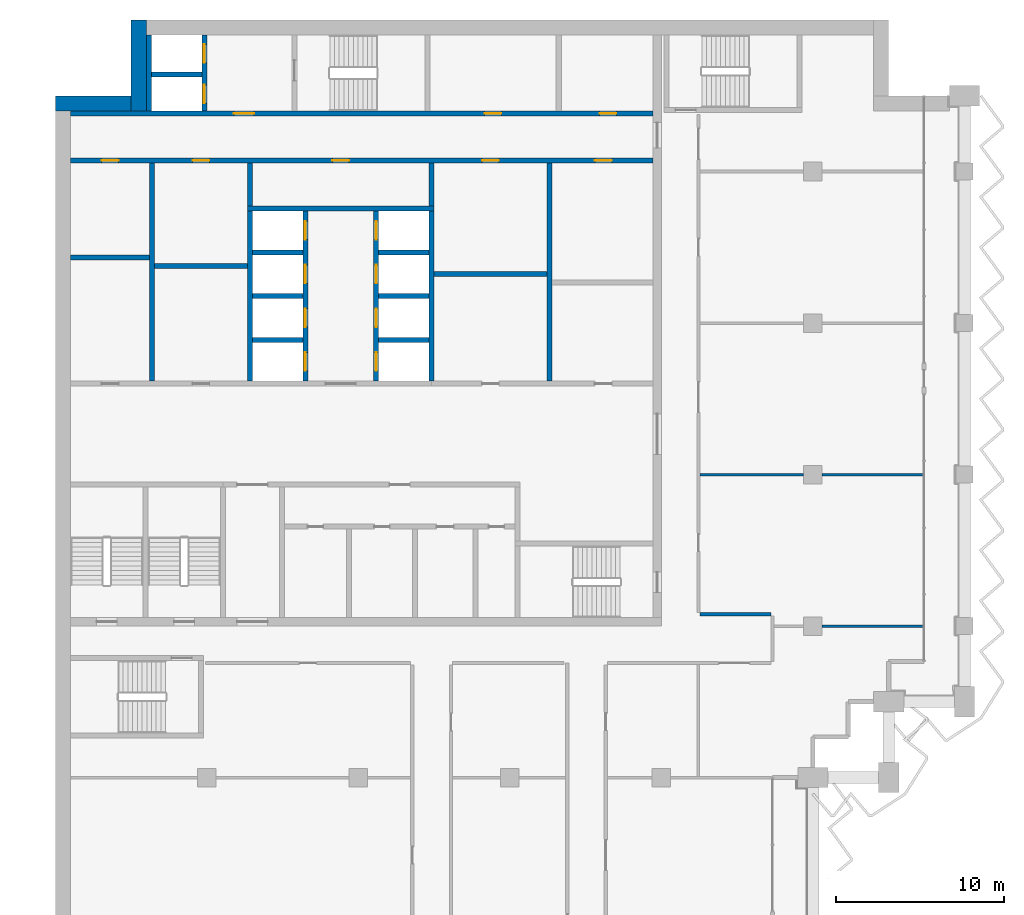
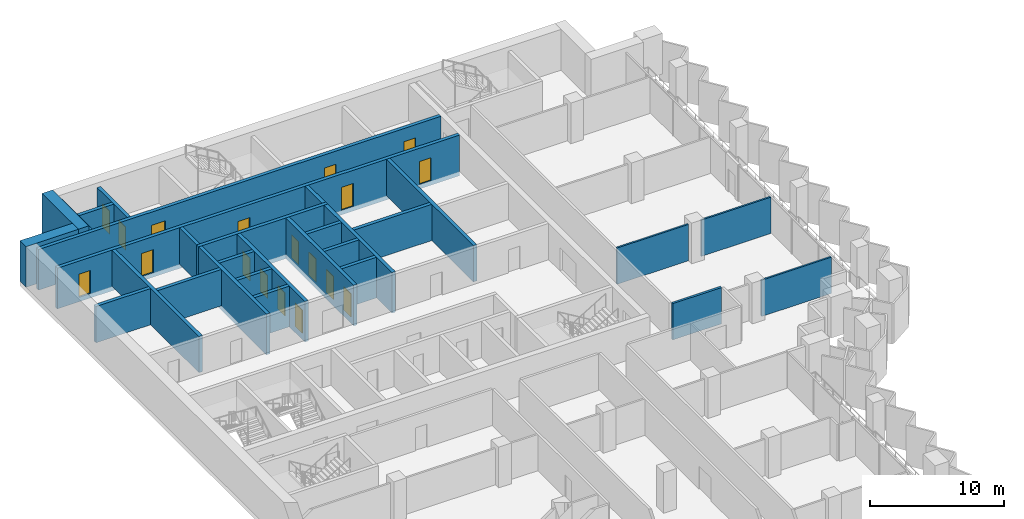
# One storey, part 10 of 17: 29 walls, 18 doors, 18 openings.
"""IFC4 building model written with IfcOpenShell, lengths in metres."""

from ifc_helpers import new_model, si_unit, direction, frame, frame_2d, origin, place, context, subcontext, project, spatial, rectangle, extrude, material, layer, layer_set, type_object, element, fill, save


model = new_model("IFC4")

# Units and contexts
model_context = context("Model", 3, precision=1e-05, world=origin(), true_north=direction((0.0, 1.0)))
body_context = subcontext(model_context, "Body", "Model", "MODEL_VIEW")
ifc_project = project(units=[si_unit("LENGTHUNIT", "METRE"), si_unit("AREAUNIT", "SQUARE_METRE"), si_unit("VOLUMEUNIT", "CUBIC_METRE"), si_unit("PLANEANGLEUNIT", "RADIAN"), si_unit("MASSUNIT", "GRAM", prefix="KILO")], contexts=[model_context])

# Site, building, storey
site_placement = place(None, origin())
site = spatial("IfcSite", under=ifc_project, at=site_placement, CompositionType="ELEMENT")
building_placement = place(site_placement, origin())
building = spatial("IfcBuilding", under=site, at=building_placement, Name="Hunhe Ridgeline Campus", CompositionType="ELEMENT")
storey_placement = place(building_placement, frame((0.0, 0.0, 205.0)))
storey = spatial("IfcBuildingStorey", under=building, at=storey_placement, Name="L52", CompositionType="ELEMENT", Elevation=205.0)

# Walls
ifc_material_1 = material(Name="Masonry concrete blockwork", Category="masonry")
ifc_layer_1 = layer(ifc_material_1, 0.300048828125)
ifc_layer_set_1 = layer_set([ifc_layer_1], Name="Core room partition 300 concrete block")
wall_type_1 = type_object("IfcWallType", Name="Core room partition 300 concrete block", PredefinedType="PARTITIONING", material=ifc_layer_set_1)
wall_1_placement = place(storey_placement, frame((22.5, 83.89990234375, 0.0), z_axis=(0.0, 0.0, 1.0), x_axis=(1.0, 0.0, 0.0)))
element("IfcWall", 1, at=wall_1_placement, inside=storey, type_object=wall_type_1, Name="L52 core partition 19", PredefinedType="PARTITIONING", context=body_context, shape_type="SweptSolid", body=[
    extrude(rectangle(XDim=6.699951171875, YDim=0.300048828125, at=frame_2d((3.35009765625, 0.0))), origin(), (0.0, 0.0, 1.0), 3.300048828125),
])
wall_2_placement = place(storey_placement, frame((5.89990234375, 84.39990234375, 0.0), z_axis=(0.0, 0.0, 1.0), x_axis=(1.0, 0.0, 0.0)))
element("IfcWall", 2, at=wall_2_placement, inside=storey, type_object=wall_type_1, Name="L52 core partition 20", PredefinedType="PARTITIONING", context=body_context, shape_type="SweptSolid", body=[
    extrude(rectangle(XDim=5.5, YDim=0.300048828125, at=frame_2d((2.75, 0.0))), origin(), (0.0, 0.0, 1.0), 3.300048828125),
])
wall_3_placement = place(storey_placement, frame((0.89990234375, 84.89990234375, 0.0), z_axis=(0.0, 0.0, 1.0), x_axis=(1.0, 0.0, 0.0)))
element("IfcWall", 3, at=wall_3_placement, inside=storey, type_object=wall_type_1, Name="L52 core partition 21", PredefinedType="PARTITIONING", context=body_context, shape_type="SweptSolid", body=[
    extrude(rectangle(XDim=4.7001953125, YDim=0.300048828125, at=frame_2d((2.35009765625, 0.0))), origin(), (0.0, 0.0, 1.0), 3.300048828125),
])
wall_4_placement = place(storey_placement, frame((5.75, 77.550048828125, 0.0), z_axis=(0.0, 0.0, 1.0), x_axis=(0.0, 1.0, 0.0)))
element("IfcWall", 4, at=wall_4_placement, inside=storey, type_object=wall_type_1, Name="L52 core partition 31", PredefinedType="PARTITIONING", context=body_context, shape_type="SweptSolid", body=[
    extrude(rectangle(XDim=12.949951171875, YDim=0.300048828125, at=frame_2d((6.47509765625, 0.0))), origin(), (0.0, 0.0, 1.0), 3.300048828125),
])
for number, where, z_axis, x_axis, name in (
    (5, (11.550048828125, 87.949951171875, 0.0), (0.0, 0.0, 1.0), (0.0, 1.0, 0.0), "L52 core partition 37"),
    (6, (22.35009765625, 87.949951171875, 0.0), (0.0, 0.0, 1.0), (0.0, 1.0, 0.0), "L52 core partition 47"),
):
    element("IfcWall", number, at=place(storey_placement, frame(where, z_axis=z_axis, x_axis=x_axis)), inside=storey, type_object=wall_type_1, Name=name, PredefinedType="PARTITIONING", context=body_context, shape_type="SweptSolid", body=[
        extrude(rectangle(XDim=2.550048828125, YDim=0.300048828125, at=frame_2d((1.27490234375, 0.0))), origin(), (0.0, 0.0, 1.0), 3.300048828125),
    ])
wall_5_placement = place(storey_placement, frame((29.35009765625, 77.550048828125, 0.0), z_axis=(0.0, 0.0, 1.0), x_axis=(0.0, 1.0, 0.0)))
element("IfcWall", 7, at=wall_5_placement, inside=storey, type_object=wall_type_1, Name="L52 core partition 52", PredefinedType="PARTITIONING", context=body_context, shape_type="SweptSolid", body=[
    extrude(rectangle(XDim=12.949951171875, YDim=0.300048828125, at=frame_2d((6.47509765625, 0.0))), origin(), (0.0, 0.0, 1.0), 3.300048828125),
])
ifc_material_2 = material(Name="Gypsum board partition")
ifc_layer_2 = layer(ifc_material_2, 0.199951171875)
ifc_layer_set_2 = layer_set([ifc_layer_2], Name="Corridor partition 200 gypsum board on steel studs")
wall_type_2 = type_object("IfcWallType", Name="Corridor partition 200 gypsum board on steel studs", PredefinedType="PARTITIONING", material=ifc_layer_set_2)
wall_6_placement = place(storey_placement, frame((38.300048828125, 63.699951171875, 0.0), z_axis=(0.0, 0.0, 1.0), x_axis=(1.0, 0.0, 0.0)))
element("IfcWall", 8, at=wall_6_placement, inside=storey, type_object=wall_type_2, Name="F-L52-wall-038", PredefinedType="PARTITIONING", context=body_context, shape_type="SweptSolid", body=[
    extrude(rectangle(XDim=4.199951171875, YDim=0.199951171875, at=frame_2d((2.10009765625, 0.0))), origin(), (0.0, 0.0, 1.0), 3.300048828125),
])

# Wall, openings, doors
ifc_material_3 = material(Name="Concrete C60", Category="concrete")
ifc_layer_3 = layer(ifc_material_3, 0.300048828125)
ifc_layer_set_3 = layer_set([ifc_layer_3], Name="Lobby wall 300 reinforced concrete C60")
wall_type_3 = type_object("IfcWallType", Name="Lobby wall 300 reinforced concrete C60", PredefinedType="SOLIDWALL", material=ifc_layer_set_3)
wall_7_placement = place(storey_placement, frame((0.89990234375, 90.64990234375, -0.39990234375), z_axis=(0.0, 0.0, 1.0), x_axis=(1.0, 0.0, 0.0)))
wall_7 = element("IfcWall", 9, at=wall_7_placement, inside=storey, type_object=wall_type_3, Name="L52 core wall 25", PredefinedType="SOLIDWALL", context=body_context, shape_type="SweptSolid", body=[
    extrude(rectangle(XDim=34.60009765625, YDim=0.300048828125, at=frame_2d((17.300048828125, 0.0))), origin(), (0.0, 0.0, 1.0), 3.699951171875),
])
opening_1_placement = place(wall_7_placement, frame((15.550048828125, 0.0, 0.39990234375)))
opening_1 = element("IfcOpeningElement", 10, at=opening_1_placement, cuts=wall_7, Name="Opening CD26", PredefinedType="OPENING", context=body_context, shape_type="SweptSolid", body=[
    extrude(rectangle(XDim=1.0, YDim=2.10009765625, at=frame_2d((0.5, 1.050048828125))), frame((0.0, 0.14990234375, 0.0), z_axis=(0.0, -1.0, 0.0), x_axis=(1.0, 0.0, 0.0)), (0.0, 0.0, 1.0), 0.300048828125),
])
opening_2_placement = place(wall_7_placement, frame((1.85009765625, 0.0, 0.39990234375)))
opening_2 = element("IfcOpeningElement", 11, at=opening_2_placement, cuts=wall_7, Name="Opening CD40", PredefinedType="OPENING", context=body_context, shape_type="SweptSolid", body=[
    extrude(rectangle(XDim=1.0, YDim=2.10009765625, at=frame_2d((0.5, 1.050048828125))), frame((0.0, 0.14990234375, 0.0), z_axis=(0.0, -1.0, 0.0), x_axis=(1.0, 0.0, 0.0)), (0.0, 0.0, 1.0), 0.300048828125),
])
opening_3_placement = place(wall_7_placement, frame((7.25, 0.0, 0.39990234375)))
opening_3 = element("IfcOpeningElement", 12, at=opening_3_placement, cuts=wall_7, Name="Opening CD43", PredefinedType="OPENING", context=body_context, shape_type="SweptSolid", body=[
    extrude(rectangle(XDim=1.0, YDim=2.10009765625, at=frame_2d((0.5, 1.050048828125))), frame((0.0, 0.14990234375, 0.0), z_axis=(0.0, -1.0, 0.0), x_axis=(1.0, 0.0, 0.0)), (0.0, 0.0, 1.0), 0.300048828125),
])
opening_4_placement = place(wall_7_placement, frame((24.449951171875, 0.0, 0.39990234375)))
opening_4 = element("IfcOpeningElement", 13, at=opening_4_placement, cuts=wall_7, Name="Opening CD33", PredefinedType="OPENING", context=body_context, shape_type="SweptSolid", body=[
    extrude(rectangle(XDim=1.0, YDim=2.10009765625, at=frame_2d((0.5, 1.050048828125))), frame((0.0, 0.14990234375, 0.0), z_axis=(0.0, -1.0, 0.0), x_axis=(1.0, 0.0, 0.0)), (0.0, 0.0, 1.0), 0.300048828125),
])
opening_5_placement = place(wall_7_placement, frame((31.14990234375, 0.0, 0.39990234375)))
opening_5 = element("IfcOpeningElement", 14, at=opening_5_placement, cuts=wall_7, Name="Opening CD44", PredefinedType="OPENING", context=body_context, shape_type="SweptSolid", body=[
    extrude(rectangle(XDim=1.0, YDim=2.10009765625, at=frame_2d((0.5, 1.050048828125))), frame((0.0, 0.14990234375, 0.0), z_axis=(0.0, -1.0, 0.0), x_axis=(1.0, 0.0, 0.0)), (0.0, 0.0, 1.0), 0.300048828125),
])
ifc_material_4 = material(Name="Solid core timber door leaf", Category="wood")
door_type_1 = type_object("IfcDoorType", Name="Timber door 1000x2100", OperationType="SINGLE_SWING_LEFT", PredefinedType="DOOR", material=ifc_material_4)
door_1_placement = place(opening_1_placement, frame((1.0, 0.0, 0.0), z_axis=(0.0, 0.0, 1.0), x_axis=(-1.0, 0.0, 0.0)))
door_1 = element("IfcDoor", 15, at=door_1_placement, inside=storey, type_object=door_type_1, Name="L52 door NR-0", OperationType="SINGLE_SWING_LEFT", OverallHeight=2.10009765625, OverallWidth=1.0, PredefinedType="DOOR", context=body_context, shape_type="SweptSolid", body=[
    extrude(rectangle(XDim=1.0, YDim=2.10009765625, at=frame_2d((0.5, 1.050048828125))), frame((0.0, 0.02490234375, 0.0), z_axis=(0.0, -1.0, 0.0), x_axis=(1.0, 0.0, 0.0)), (0.0, 0.0, 1.0), 0.050048828125),
])
fill(opening_1, door_1)
door_2_placement = place(opening_2_placement, frame((1.0, 0.0, 0.0), z_axis=(0.0, 0.0, 1.0), x_axis=(-1.0, 0.0, 0.0)))
door_2 = element("IfcDoor", 16, at=door_2_placement, inside=storey, type_object=door_type_1, Name="L52 door VD-LR1", OperationType="SINGLE_SWING_LEFT", OverallHeight=2.10009765625, OverallWidth=1.0, PredefinedType="DOOR", context=body_context, shape_type="SweptSolid", body=[
    extrude(rectangle(XDim=1.0, YDim=2.10009765625, at=frame_2d((0.5, 1.050048828125))), frame((0.0, 0.02490234375, 0.0), z_axis=(0.0, -1.0, 0.0), x_axis=(1.0, 0.0, 0.0)), (0.0, 0.0, 1.0), 0.050048828125),
])
fill(opening_2, door_2)
door_3_placement = place(opening_3_placement, frame((1.0, 0.0, 0.0), z_axis=(0.0, 0.0, 1.0), x_axis=(-1.0, 0.0, 0.0)))
door_3 = element("IfcDoor", 17, at=door_3_placement, inside=storey, type_object=door_type_1, Name="L52 door VD-LR3", OperationType="SINGLE_SWING_LEFT", OverallHeight=2.10009765625, OverallWidth=1.0, PredefinedType="DOOR", context=body_context, shape_type="SweptSolid", body=[
    extrude(rectangle(XDim=1.0, YDim=2.10009765625, at=frame_2d((0.5, 1.050048828125))), frame((0.0, 0.02490234375, 0.0), z_axis=(0.0, -1.0, 0.0), x_axis=(1.0, 0.0, 0.0)), (0.0, 0.0, 1.0), 0.050048828125),
])
fill(opening_3, door_3)
door_4_placement = place(opening_4_placement, frame((1.0, 0.0, 0.0), z_axis=(0.0, 0.0, 1.0), x_axis=(-1.0, 0.0, 0.0)))
door_4 = element("IfcDoor", 18, at=door_4_placement, inside=storey, type_object=door_type_1, Name="L52 door ES1", OperationType="SINGLE_SWING_RIGHT", OverallHeight=2.10009765625, OverallWidth=1.0, PredefinedType="DOOR", context=body_context, shape_type="SweptSolid", body=[
    extrude(rectangle(XDim=1.0, YDim=2.10009765625, at=frame_2d((0.5, 1.050048828125))), frame((0.0, 0.02490234375, 0.0), z_axis=(0.0, -1.0, 0.0), x_axis=(1.0, 0.0, 0.0)), (0.0, 0.0, 1.0), 0.050048828125),
])
fill(opening_4, door_4)
door_5_placement = place(opening_5_placement, frame((1.0, 0.0, 0.0), z_axis=(0.0, 0.0, 1.0), x_axis=(-1.0, 0.0, 0.0)))
door_5 = element("IfcDoor", 19, at=door_5_placement, inside=storey, type_object=door_type_1, Name="L52 door ES3", OperationType="SINGLE_SWING_RIGHT", OverallHeight=2.10009765625, OverallWidth=1.0, PredefinedType="DOOR", context=body_context, shape_type="SweptSolid", body=[
    extrude(rectangle(XDim=1.0, YDim=2.10009765625, at=frame_2d((0.5, 1.050048828125))), frame((0.0, 0.02490234375, 0.0), z_axis=(0.0, -1.0, 0.0), x_axis=(1.0, 0.0, 0.0)), (0.0, 0.0, 1.0), 0.050048828125),
])
fill(opening_5, door_5)

# Walls
ifc_layer_4 = layer(ifc_material_2, 0.14990234375)
ifc_layer_set_4 = layer_set([ifc_layer_4], Name="Room partition 150 gypsum board on steel studs")
wall_type_4 = type_object("IfcWallType", Name="Room partition 150 gypsum board on steel studs", PredefinedType="PARTITIONING", material=ifc_layer_set_4)
wall_8_placement = place(storey_placement, frame((45.550048828125, 63.0, 0.0), z_axis=(0.0, 0.0, 1.0), x_axis=(1.0, 0.0, 0.0)))
element("IfcWall", 20, at=wall_8_placement, inside=storey, type_object=wall_type_4, Name="F-L52-wall-037", PredefinedType="PARTITIONING", context=body_context, shape_type="SweptSolid", body=[
    extrude(rectangle(XDim=5.994873046875, YDim=0.14990234375, at=frame_2d((2.99755859375, 0.0))), origin(), (0.0, 0.0, 1.0), 3.300048828125),
])
wall_9_placement = place(storey_placement, frame((38.300048828125, 72.0, 0.0), z_axis=(0.0, 0.0, 1.0), x_axis=(1.0, 0.0, 0.0)))
element("IfcWall", 21, at=wall_9_placement, inside=storey, type_object=wall_type_4, Name="F-L52-wall-039", PredefinedType="PARTITIONING", context=body_context, shape_type="SweptSolid", body=[
    extrude(rectangle(XDim=6.14990234375, YDim=0.14990234375, at=frame_2d((3.074951171875, 0.0))), origin(), (0.0, 0.0, 1.0), 3.300048828125),
])
wall_10_placement = place(storey_placement, frame((45.550048828125, 72.0, 0.0), z_axis=(0.0, 0.0, 1.0), x_axis=(1.0, 0.0, 0.0)))
element("IfcWall", 22, at=wall_10_placement, inside=storey, type_object=wall_type_4, Name="F-L52-wall-040", PredefinedType="PARTITIONING", context=body_context, shape_type="SweptSolid", body=[
    extrude(rectangle(XDim=5.994873046875, YDim=0.14990234375, at=frame_2d((2.99755859375, 0.0))), origin(), (0.0, 0.0, 1.0), 3.300048828125),
])
ifc_layer_5 = layer(ifc_material_3, 0.300048828125)
ifc_layer_set_5 = layer_set([ifc_layer_5], Name="Shaft wall 300 reinforced concrete C60")
wall_type_5 = type_object("IfcWallType", Name="Shaft wall 300 reinforced concrete C60", PredefinedType="SOLIDWALL", material=ifc_layer_set_5)
for number, where, z_axis, x_axis, name in (
    (23, (11.699951171875, 80.0, -0.39990234375), (0.0, 0.0, 1.0), (1.0, 0.0, 0.0), "L52 core wall 14"),
    (24, (19.199951171875, 80.0, -0.39990234375), (0.0, 0.0, 1.0), (1.0, 0.0, 0.0), "L52 core wall 15"),
    (25, (11.699951171875, 82.60009765625, -0.39990234375), (0.0, 0.0, 1.0), (1.0, 0.0, 0.0), "L52 core wall 16"),
    (26, (19.199951171875, 82.60009765625, -0.39990234375), (0.0, 0.0, 1.0), (1.0, 0.0, 0.0), "L52 core wall 17"),
    (27, (11.699951171875, 85.199951171875, -0.39990234375), (0.0, 0.0, 1.0), (1.0, 0.0, 0.0), "L52 core wall 22"),
    (28, (19.199951171875, 85.199951171875, -0.39990234375), (0.0, 0.0, 1.0), (1.0, 0.0, 0.0), "L52 core wall 23"),
):
    element("IfcWall", number, at=place(storey_placement, frame(where, z_axis=z_axis, x_axis=x_axis)), inside=storey, type_object=wall_type_5, Name=name, PredefinedType="SOLIDWALL", context=body_context, shape_type="SweptSolid", body=[
        extrude(rectangle(XDim=3.0, YDim=0.300048828125, at=frame_2d((1.5, 0.0))), origin(), (0.0, 0.0, 1.0), 3.699951171875),
    ])
wall_11_placement = place(storey_placement, frame((11.39990234375, 87.800048828125, -0.39990234375), z_axis=(0.0, 0.0, 1.0), x_axis=(1.0, 0.0, 0.0)))
element("IfcWall", 29, at=wall_11_placement, inside=storey, type_object=wall_type_5, Name="L52 core wall 24", PredefinedType="SOLIDWALL", context=body_context, shape_type="SweptSolid", body=[
    extrude(rectangle(XDim=11.10009765625, YDim=0.300048828125, at=frame_2d((5.550048828125, 0.0))), origin(), (0.0, 0.0, 1.0), 3.699951171875),
])

# Wall, openings, doors
wall_12_placement = place(storey_placement, frame((0.89990234375, 93.449951171875, -0.39990234375), z_axis=(0.0, 0.0, 1.0), x_axis=(1.0, 0.0, 0.0)))
wall_12 = element("IfcWall", 30, at=wall_12_placement, inside=storey, type_object=wall_type_5, Name="L52 core wall 26", PredefinedType="SOLIDWALL", context=body_context, shape_type="SweptSolid", body=[
    extrude(rectangle(XDim=34.60009765625, YDim=0.300048828125, at=frame_2d((17.300048828125, 0.0))), origin(), (0.0, 0.0, 1.0), 3.699951171875),
])
opening_6_placement = place(wall_12_placement, frame((9.699951171875, 0.0, 0.39990234375)))
opening_6 = element("IfcOpeningElement", 31, at=opening_6_placement, cuts=wall_12, Name="Opening CD3", PredefinedType="OPENING", context=body_context, shape_type="SweptSolid", body=[
    extrude(rectangle(XDim=1.199951171875, YDim=2.10009765625, at=frame_2d((0.60009765625, 1.050048828125))), frame((0.0, 0.14990234375, 0.0), z_axis=(0.0, -1.0, 0.0), x_axis=(1.0, 0.0, 0.0)), (0.0, 0.0, 1.0), 0.300048828125),
])
opening_7_placement = place(wall_12_placement, frame((24.60009765625, 0.0, 0.39990234375)))
opening_7 = element("IfcOpeningElement", 32, at=opening_7_placement, cuts=wall_12, Name="Opening CD34", PredefinedType="OPENING", context=body_context, shape_type="SweptSolid", body=[
    extrude(rectangle(XDim=1.0, YDim=2.10009765625, at=frame_2d((0.5, 1.050048828125))), frame((0.0, 0.14990234375, 0.0), z_axis=(0.0, -1.0, 0.0), x_axis=(1.0, 0.0, 0.0)), (0.0, 0.0, 1.0), 0.300048828125),
])
opening_8_placement = place(wall_12_placement, frame((31.425048828125, 0.0, 0.39990234375)))
opening_8 = element("IfcOpeningElement", 33, at=opening_8_placement, cuts=wall_12, Name="Opening CD35", PredefinedType="OPENING", context=body_context, shape_type="SweptSolid", body=[
    extrude(rectangle(XDim=1.0, YDim=2.10009765625, at=frame_2d((0.5, 1.050048828125))), frame((0.0, 0.14990234375, 0.0), z_axis=(0.0, -1.0, 0.0), x_axis=(1.0, 0.0, 0.0)), (0.0, 0.0, 1.0), 0.300048828125),
])
ifc_material_5 = material(Name="Hollow metal fire door leaf")
door_type_2 = type_object("IfcDoorType", Name="Lobby door 1200x2100 FD60", OperationType="SINGLE_SWING_LEFT", PredefinedType="DOOR", material=ifc_material_5)
door_6_placement = place(opening_6_placement, frame((1.199951171875, 0.0, 0.0), z_axis=(0.0, 0.0, 1.0), x_axis=(-1.0, 0.0, 0.0)))
door_6 = element("IfcDoor", 34, at=door_6_placement, inside=storey, type_object=door_type_2, Name="L52 door FF-C1", OperationType="SINGLE_SWING_RIGHT", OverallHeight=2.10009765625, OverallWidth=1.199951171875, PredefinedType="DOOR", context=body_context, shape_type="SweptSolid", body=[
    extrude(rectangle(XDim=1.199951171875, YDim=2.10009765625, at=frame_2d((0.60009765625, 1.050048828125))), frame((0.0, 0.02490234375, 0.0), z_axis=(0.0, -1.0, 0.0), x_axis=(1.0, 0.0, 0.0)), (0.0, 0.0, 1.0), 0.050048828125),
])
fill(opening_6, door_6)
door_7_placement = place(opening_7_placement, origin())
door_7 = element("IfcDoor", 35, at=door_7_placement, inside=storey, type_object=door_type_1, Name="L52 door NB0", OperationType="SINGLE_SWING_RIGHT", OverallHeight=2.10009765625, OverallWidth=1.0, PredefinedType="DOOR", context=body_context, shape_type="SweptSolid", body=[
    extrude(rectangle(XDim=1.0, YDim=2.10009765625, at=frame_2d((0.5, 1.050048828125))), frame((0.0, 0.02490234375, 0.0), z_axis=(0.0, -1.0, 0.0), x_axis=(1.0, 0.0, 0.0)), (0.0, 0.0, 1.0), 0.050048828125),
])
fill(opening_7, door_7)
door_8_placement = place(opening_8_placement, origin())
door_8 = element("IfcDoor", 36, at=door_8_placement, inside=storey, type_object=door_type_1, Name="L52 door NB1", OperationType="SINGLE_SWING_LEFT", OverallHeight=2.10009765625, OverallWidth=1.0, PredefinedType="DOOR", context=body_context, shape_type="SweptSolid", body=[
    extrude(rectangle(XDim=1.0, YDim=2.10009765625, at=frame_2d((0.5, 1.050048828125))), frame((0.0, 0.02490234375, 0.0), z_axis=(0.0, -1.0, 0.0), x_axis=(1.0, 0.0, 0.0)), (0.0, 0.0, 1.0), 0.050048828125),
])
fill(opening_8, door_8)

# Walls
wall_13_placement = place(storey_placement, frame((5.699951171875, 95.75, -0.39990234375), z_axis=(0.0, 0.0, 1.0), x_axis=(1.0, 0.0, 0.0)))
element("IfcWall", 37, at=wall_13_placement, inside=storey, type_object=wall_type_5, Name="L52 core wall 28", PredefinedType="SOLIDWALL", context=body_context, shape_type="SweptSolid", body=[
    extrude(rectangle(XDim=3.0, YDim=0.300048828125, at=frame_2d((1.5, 0.0))), origin(), (0.0, 0.0, 1.0), 3.699951171875),
])
wall_14_placement = place(storey_placement, frame((5.550048828125, 93.60009765625, -0.39990234375), z_axis=(0.0, 0.0, 1.0), x_axis=(0.0, 1.0, 0.0)))
element("IfcWall", 38, at=wall_14_placement, inside=storey, type_object=wall_type_5, Name="L52 core wall 30", PredefinedType="SOLIDWALL", context=body_context, shape_type="SweptSolid", body=[
    extrude(rectangle(XDim=4.5, YDim=0.300048828125, at=frame_2d((2.25, 0.0))), origin(), (0.0, 0.0, 1.0), 3.699951171875),
])

# Wall, openings, doors
wall_15_placement = place(storey_placement, frame((8.85009765625, 93.60009765625, -0.39990234375), z_axis=(0.0, 0.0, 1.0), x_axis=(0.0, 1.0, 0.0)))
wall_15 = element("IfcWall", 39, at=wall_15_placement, inside=storey, type_object=wall_type_5, Name="L52 core wall 34", PredefinedType="SOLIDWALL", context=body_context, shape_type="SweptSolid", body=[
    extrude(rectangle(XDim=4.5, YDim=0.300048828125, at=frame_2d((2.25, 0.0))), origin(), (0.0, 0.0, 1.0), 3.699951171875),
])
opening_9_placement = place(wall_15_placement, frame((0.449951171875, 0.0, 0.39990234375)))
opening_9 = element("IfcOpeningElement", 40, at=opening_9_placement, cuts=wall_15, Name="Opening LD-FF1", PredefinedType="OPENING", context=body_context, shape_type="SweptSolid", body=[
    extrude(rectangle(XDim=1.10009765625, YDim=2.10009765625, at=frame_2d((0.550048828125, 1.050048828125))), frame((0.0, 0.14990234375, 0.0), z_axis=(0.0, -1.0, 0.0), x_axis=(1.0, 0.0, 0.0)), (0.0, 0.0, 1.0), 0.300048828125),
])
opening_10_placement = place(wall_15_placement, frame((2.85009765625, 0.0, 0.39990234375)))
opening_10 = element("IfcOpeningElement", 41, at=opening_10_placement, cuts=wall_15, Name="Opening LD-FF2", PredefinedType="OPENING", context=body_context, shape_type="SweptSolid", body=[
    extrude(rectangle(XDim=1.10009765625, YDim=2.10009765625, at=frame_2d((0.550048828125, 1.050048828125))), frame((0.0, 0.14990234375, 0.0), z_axis=(0.0, -1.0, 0.0), x_axis=(1.0, 0.0, 0.0)), (0.0, 0.0, 1.0), 0.300048828125),
])
ifc_material_6 = material(Name="Stainless steel sliding leaves", Category="steel")
door_type_3 = type_object("IfcDoorType", Name="Landing door 1100x2100 FD120", OperationType="SLIDING_TO_LEFT", PredefinedType="DOOR", material=ifc_material_6)
door_9_placement = place(opening_9_placement, origin())
door_9 = element("IfcDoor", 42, at=door_9_placement, inside=storey, type_object=door_type_3, Name="L52 landing door FF1", OperationType="SLIDING_TO_RIGHT", OverallHeight=2.10009765625, OverallWidth=1.10009765625, PredefinedType="DOOR", context=body_context, shape_type="SweptSolid", body=[
    extrude(rectangle(XDim=1.10009765625, YDim=2.10009765625, at=frame_2d((0.550048828125, 1.050048828125))), frame((0.0, 0.02490234375, 0.0), z_axis=(0.0, -1.0, 0.0), x_axis=(1.0, 0.0, 0.0)), (0.0, 0.0, 1.0), 0.050048828125),
])
fill(opening_9, door_9)
door_10_placement = place(opening_10_placement, origin())
door_10 = element("IfcDoor", 43, at=door_10_placement, inside=storey, type_object=door_type_3, Name="L52 landing door FF2", OperationType="SLIDING_TO_LEFT", OverallHeight=2.10009765625, OverallWidth=1.10009765625, PredefinedType="DOOR", context=body_context, shape_type="SweptSolid", body=[
    extrude(rectangle(XDim=1.10009765625, YDim=2.10009765625, at=frame_2d((0.550048828125, 1.050048828125))), frame((0.0, 0.02490234375, 0.0), z_axis=(0.0, -1.0, 0.0), x_axis=(1.0, 0.0, 0.0)), (0.0, 0.0, 1.0), 0.050048828125),
])
fill(opening_10, door_10)

# Wall
wall_16_placement = place(storey_placement, frame((11.550048828125, 77.550048828125, -0.39990234375), z_axis=(0.0, 0.0, 1.0), x_axis=(0.0, 1.0, 0.0)))
element("IfcWall", 44, at=wall_16_placement, inside=storey, type_object=wall_type_5, Name="L52 core wall 36", PredefinedType="SOLIDWALL", context=body_context, shape_type="SweptSolid", body=[
    extrude(rectangle(XDim=10.099853515625, YDim=0.300048828125, at=frame_2d((5.0498046875, 0.0))), origin(), (0.0, 0.0, 1.0), 3.699951171875),
])

# Wall, openings, doors
wall_17_placement = place(storey_placement, frame((14.85009765625, 77.550048828125, -0.39990234375), z_axis=(0.0, 0.0, 1.0), x_axis=(0.0, 1.0, 0.0)))
wall_17 = element("IfcWall", 45, at=wall_17_placement, inside=storey, type_object=wall_type_5, Name="L52 core wall 40", PredefinedType="SOLIDWALL", context=body_context, shape_type="SweptSolid", body=[
    extrude(rectangle(XDim=10.099853515625, YDim=0.300048828125, at=frame_2d((5.0498046875, 0.0))), origin(), (0.0, 0.0, 1.0), 3.699951171875),
])
opening_11_placement = place(wall_17_placement, frame((0.60009765625, 0.0, 0.39990234375)))
opening_11 = element("IfcOpeningElement", 46, at=opening_11_placement, cuts=wall_17, Name="Opening LD-HR1", PredefinedType="OPENING", context=body_context, shape_type="SweptSolid", body=[
    extrude(rectangle(XDim=1.10009765625, YDim=2.10009765625, at=frame_2d((0.550048828125, 1.050048828125))), frame((0.0, 0.14990234375, 0.0), z_axis=(0.0, -1.0, 0.0), x_axis=(1.0, 0.0, 0.0)), (0.0, 0.0, 1.0), 0.300048828125),
])
opening_12_placement = place(wall_17_placement, frame((3.199951171875, 0.0, 0.39990234375)))
opening_12 = element("IfcOpeningElement", 47, at=opening_12_placement, cuts=wall_17, Name="Opening LD-HR2", PredefinedType="OPENING", context=body_context, shape_type="SweptSolid", body=[
    extrude(rectangle(XDim=1.10009765625, YDim=2.10009765625, at=frame_2d((0.550048828125, 1.050048828125))), frame((0.0, 0.14990234375, 0.0), z_axis=(0.0, -1.0, 0.0), x_axis=(1.0, 0.0, 0.0)), (0.0, 0.0, 1.0), 0.300048828125),
])
opening_13_placement = place(wall_17_placement, frame((5.800048828125, 0.0, 0.39990234375)))
opening_13 = element("IfcOpeningElement", 48, at=opening_13_placement, cuts=wall_17, Name="Opening LD-HR3", PredefinedType="OPENING", context=body_context, shape_type="SweptSolid", body=[
    extrude(rectangle(XDim=1.10009765625, YDim=2.10009765625, at=frame_2d((0.550048828125, 1.050048828125))), frame((0.0, 0.14990234375, 0.0), z_axis=(0.0, -1.0, 0.0), x_axis=(1.0, 0.0, 0.0)), (0.0, 0.0, 1.0), 0.300048828125),
])
opening_14_placement = place(wall_17_placement, frame((8.39990234375, 0.0, 0.39990234375)))
opening_14 = element("IfcOpeningElement", 49, at=opening_14_placement, cuts=wall_17, Name="Opening LD-HR4", PredefinedType="OPENING", context=body_context, shape_type="SweptSolid", body=[
    extrude(rectangle(XDim=1.10009765625, YDim=2.10009765625, at=frame_2d((0.550048828125, 1.050048828125))), frame((0.0, 0.14990234375, 0.0), z_axis=(0.0, -1.0, 0.0), x_axis=(1.0, 0.0, 0.0)), (0.0, 0.0, 1.0), 0.300048828125),
])
door_11_placement = place(opening_11_placement, origin())
door_11 = element("IfcDoor", 50, at=door_11_placement, inside=storey, type_object=door_type_3, Name="L52 landing door HR1", OperationType="SLIDING_TO_RIGHT", OverallHeight=2.10009765625, OverallWidth=1.10009765625, PredefinedType="DOOR", context=body_context, shape_type="SweptSolid", body=[
    extrude(rectangle(XDim=1.10009765625, YDim=2.10009765625, at=frame_2d((0.550048828125, 1.050048828125))), frame((0.0, 0.02490234375, 0.0), z_axis=(0.0, -1.0, 0.0), x_axis=(1.0, 0.0, 0.0)), (0.0, 0.0, 1.0), 0.050048828125),
])
fill(opening_11, door_11)
door_12_placement = place(opening_12_placement, origin())
door_12 = element("IfcDoor", 51, at=door_12_placement, inside=storey, type_object=door_type_3, Name="L52 landing door HR2", OperationType="SLIDING_TO_LEFT", OverallHeight=2.10009765625, OverallWidth=1.10009765625, PredefinedType="DOOR", context=body_context, shape_type="SweptSolid", body=[
    extrude(rectangle(XDim=1.10009765625, YDim=2.10009765625, at=frame_2d((0.550048828125, 1.050048828125))), frame((0.0, 0.02490234375, 0.0), z_axis=(0.0, -1.0, 0.0), x_axis=(1.0, 0.0, 0.0)), (0.0, 0.0, 1.0), 0.050048828125),
])
fill(opening_12, door_12)
door_13_placement = place(opening_13_placement, origin())
door_13 = element("IfcDoor", 52, at=door_13_placement, inside=storey, type_object=door_type_3, Name="L52 landing door HR3", OperationType="SLIDING_TO_RIGHT", OverallHeight=2.10009765625, OverallWidth=1.10009765625, PredefinedType="DOOR", context=body_context, shape_type="SweptSolid", body=[
    extrude(rectangle(XDim=1.10009765625, YDim=2.10009765625, at=frame_2d((0.550048828125, 1.050048828125))), frame((0.0, 0.02490234375, 0.0), z_axis=(0.0, -1.0, 0.0), x_axis=(1.0, 0.0, 0.0)), (0.0, 0.0, 1.0), 0.050048828125),
])
fill(opening_13, door_13)
door_14_placement = place(opening_14_placement, origin())
door_14 = element("IfcDoor", 53, at=door_14_placement, inside=storey, type_object=door_type_3, Name="L52 landing door HR4", OperationType="SLIDING_TO_LEFT", OverallHeight=2.10009765625, OverallWidth=1.10009765625, PredefinedType="DOOR", context=body_context, shape_type="SweptSolid", body=[
    extrude(rectangle(XDim=1.10009765625, YDim=2.10009765625, at=frame_2d((0.550048828125, 1.050048828125))), frame((0.0, 0.02490234375, 0.0), z_axis=(0.0, -1.0, 0.0), x_axis=(1.0, 0.0, 0.0)), (0.0, 0.0, 1.0), 0.050048828125),
])
fill(opening_14, door_14)

wall_18_placement = place(storey_placement, frame((19.050048828125, 77.550048828125, -0.39990234375), z_axis=(0.0, 0.0, 1.0), x_axis=(0.0, 1.0, 0.0)))
wall_18 = element("IfcWall", 54, at=wall_18_placement, inside=storey, type_object=wall_type_5, Name="L52 core wall 42", PredefinedType="SOLIDWALL", context=body_context, shape_type="SweptSolid", body=[
    extrude(rectangle(XDim=10.099853515625, YDim=0.300048828125, at=frame_2d((5.0498046875, 0.0))), origin(), (0.0, 0.0, 1.0), 3.699951171875),
])
opening_15_placement = place(wall_18_placement, frame((0.60009765625, 0.0, 0.39990234375)))
opening_15 = element("IfcOpeningElement", 55, at=opening_15_placement, cuts=wall_18, Name="Opening LD-HR5", PredefinedType="OPENING", context=body_context, shape_type="SweptSolid", body=[
    extrude(rectangle(XDim=1.10009765625, YDim=2.10009765625, at=frame_2d((0.550048828125, 1.050048828125))), frame((0.0, 0.14990234375, 0.0), z_axis=(0.0, -1.0, 0.0), x_axis=(1.0, 0.0, 0.0)), (0.0, 0.0, 1.0), 0.300048828125),
])
opening_16_placement = place(wall_18_placement, frame((3.199951171875, 0.0, 0.39990234375)))
opening_16 = element("IfcOpeningElement", 56, at=opening_16_placement, cuts=wall_18, Name="Opening LD-HR6", PredefinedType="OPENING", context=body_context, shape_type="SweptSolid", body=[
    extrude(rectangle(XDim=1.10009765625, YDim=2.10009765625, at=frame_2d((0.550048828125, 1.050048828125))), frame((0.0, 0.14990234375, 0.0), z_axis=(0.0, -1.0, 0.0), x_axis=(1.0, 0.0, 0.0)), (0.0, 0.0, 1.0), 0.300048828125),
])
opening_17_placement = place(wall_18_placement, frame((5.800048828125, 0.0, 0.39990234375)))
opening_17 = element("IfcOpeningElement", 57, at=opening_17_placement, cuts=wall_18, Name="Opening LD-HR7", PredefinedType="OPENING", context=body_context, shape_type="SweptSolid", body=[
    extrude(rectangle(XDim=1.10009765625, YDim=2.10009765625, at=frame_2d((0.550048828125, 1.050048828125))), frame((0.0, 0.14990234375, 0.0), z_axis=(0.0, -1.0, 0.0), x_axis=(1.0, 0.0, 0.0)), (0.0, 0.0, 1.0), 0.300048828125),
])
opening_18_placement = place(wall_18_placement, frame((8.39990234375, 0.0, 0.39990234375)))
opening_18 = element("IfcOpeningElement", 58, at=opening_18_placement, cuts=wall_18, Name="Opening LD-HR8", PredefinedType="OPENING", context=body_context, shape_type="SweptSolid", body=[
    extrude(rectangle(XDim=1.10009765625, YDim=2.10009765625, at=frame_2d((0.550048828125, 1.050048828125))), frame((0.0, 0.14990234375, 0.0), z_axis=(0.0, -1.0, 0.0), x_axis=(1.0, 0.0, 0.0)), (0.0, 0.0, 1.0), 0.300048828125),
])
door_15_placement = place(opening_15_placement, origin())
door_15 = element("IfcDoor", 59, at=door_15_placement, inside=storey, type_object=door_type_3, Name="L52 landing door HR5", OperationType="SLIDING_TO_RIGHT", OverallHeight=2.10009765625, OverallWidth=1.10009765625, PredefinedType="DOOR", context=body_context, shape_type="SweptSolid", body=[
    extrude(rectangle(XDim=1.10009765625, YDim=2.10009765625, at=frame_2d((0.550048828125, 1.050048828125))), frame((0.0, 0.02490234375, 0.0), z_axis=(0.0, -1.0, 0.0), x_axis=(1.0, 0.0, 0.0)), (0.0, 0.0, 1.0), 0.050048828125),
])
fill(opening_15, door_15)
door_16_placement = place(opening_16_placement, origin())
door_16 = element("IfcDoor", 60, at=door_16_placement, inside=storey, type_object=door_type_3, Name="L52 landing door HR6", OperationType="SLIDING_TO_LEFT", OverallHeight=2.10009765625, OverallWidth=1.10009765625, PredefinedType="DOOR", context=body_context, shape_type="SweptSolid", body=[
    extrude(rectangle(XDim=1.10009765625, YDim=2.10009765625, at=frame_2d((0.550048828125, 1.050048828125))), frame((0.0, 0.02490234375, 0.0), z_axis=(0.0, -1.0, 0.0), x_axis=(1.0, 0.0, 0.0)), (0.0, 0.0, 1.0), 0.050048828125),
])
fill(opening_16, door_16)
door_17_placement = place(opening_17_placement, origin())
door_17 = element("IfcDoor", 61, at=door_17_placement, inside=storey, type_object=door_type_3, Name="L52 landing door HR7", OperationType="SLIDING_TO_RIGHT", OverallHeight=2.10009765625, OverallWidth=1.10009765625, PredefinedType="DOOR", context=body_context, shape_type="SweptSolid", body=[
    extrude(rectangle(XDim=1.10009765625, YDim=2.10009765625, at=frame_2d((0.550048828125, 1.050048828125))), frame((0.0, 0.02490234375, 0.0), z_axis=(0.0, -1.0, 0.0), x_axis=(1.0, 0.0, 0.0)), (0.0, 0.0, 1.0), 0.050048828125),
])
fill(opening_17, door_17)
door_18_placement = place(opening_18_placement, origin())
door_18 = element("IfcDoor", 62, at=door_18_placement, inside=storey, type_object=door_type_3, Name="L52 landing door HR8", OperationType="SLIDING_TO_LEFT", OverallHeight=2.10009765625, OverallWidth=1.10009765625, PredefinedType="DOOR", context=body_context, shape_type="SweptSolid", body=[
    extrude(rectangle(XDim=1.10009765625, YDim=2.10009765625, at=frame_2d((0.550048828125, 1.050048828125))), frame((0.0, 0.02490234375, 0.0), z_axis=(0.0, -1.0, 0.0), x_axis=(1.0, 0.0, 0.0)), (0.0, 0.0, 1.0), 0.050048828125),
])
fill(opening_18, door_18)

# Walls
wall_19_placement = place(storey_placement, frame((22.35009765625, 77.550048828125, -0.39990234375), z_axis=(0.0, 0.0, 1.0), x_axis=(0.0, 1.0, 0.0)))
element("IfcWall", 63, at=wall_19_placement, inside=storey, type_object=wall_type_5, Name="L52 core wall 46", PredefinedType="SOLIDWALL", context=body_context, shape_type="SweptSolid", body=[
    extrude(rectangle(XDim=10.099853515625, YDim=0.300048828125, at=frame_2d((5.0498046875, 0.0))), origin(), (0.0, 0.0, 1.0), 3.699951171875),
])
ifc_layer_6 = layer(ifc_material_3, 0.89990234375)
ifc_layer_set_6 = layer_set([ifc_layer_6], Name="Spine wall 900 Concrete C60")
wall_type_6 = type_object("IfcWallType", Name="Spine wall 900 Concrete C60", PredefinedType="SHEAR", material=ifc_layer_set_6)
for number, where, z_axis, x_axis, name in (
    (64, (4.949951171875, 99.0, 0.0), (0.0, 0.0, 1.0), (0.0, -1.0, 0.0), "Spine wall SW3-5 L52"),
    (65, (5.400146484375, 94.050048828125, 0.0), (0.0, 0.0, 1.0), (-1.0, 0.0, 0.0), "Spine wall SW3-6 L52"),
):
    element("IfcWall", number, at=place(storey_placement, frame(where, z_axis=z_axis, x_axis=x_axis)), inside=storey, type_object=wall_type_6, Name=name, PredefinedType="SHEAR", context=body_context, shape_type="SweptSolid", body=[
        extrude(rectangle(XDim=5.400146484375, YDim=0.89990234375, at=frame_2d((2.7001953125, 0.0))), origin(), (0.0, 0.0, 1.0), 3.699951171875),
    ])

save(model, "model.ifc")
